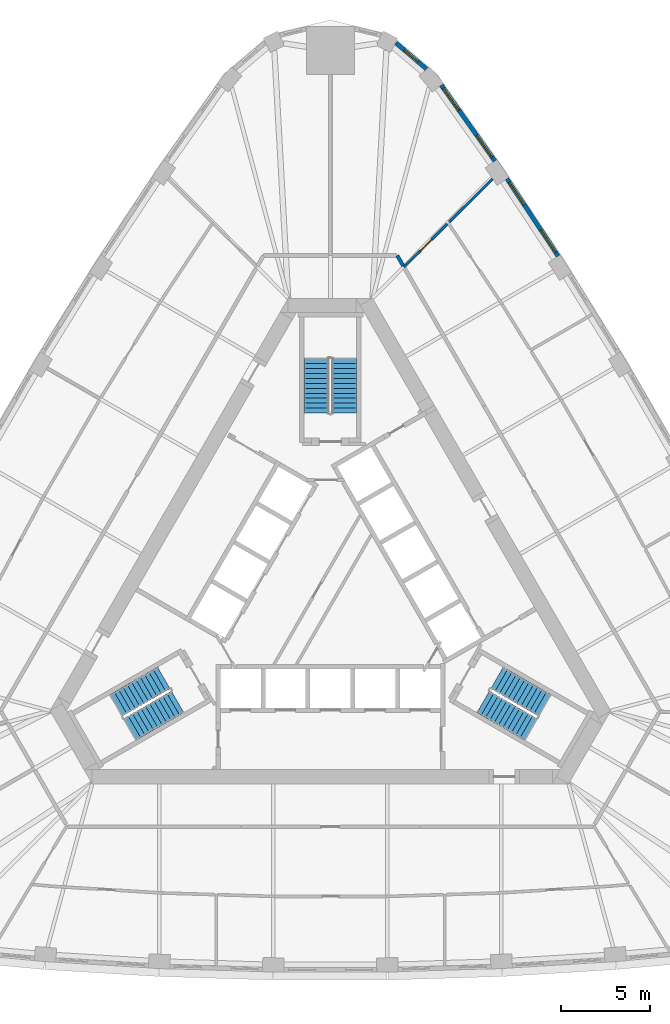
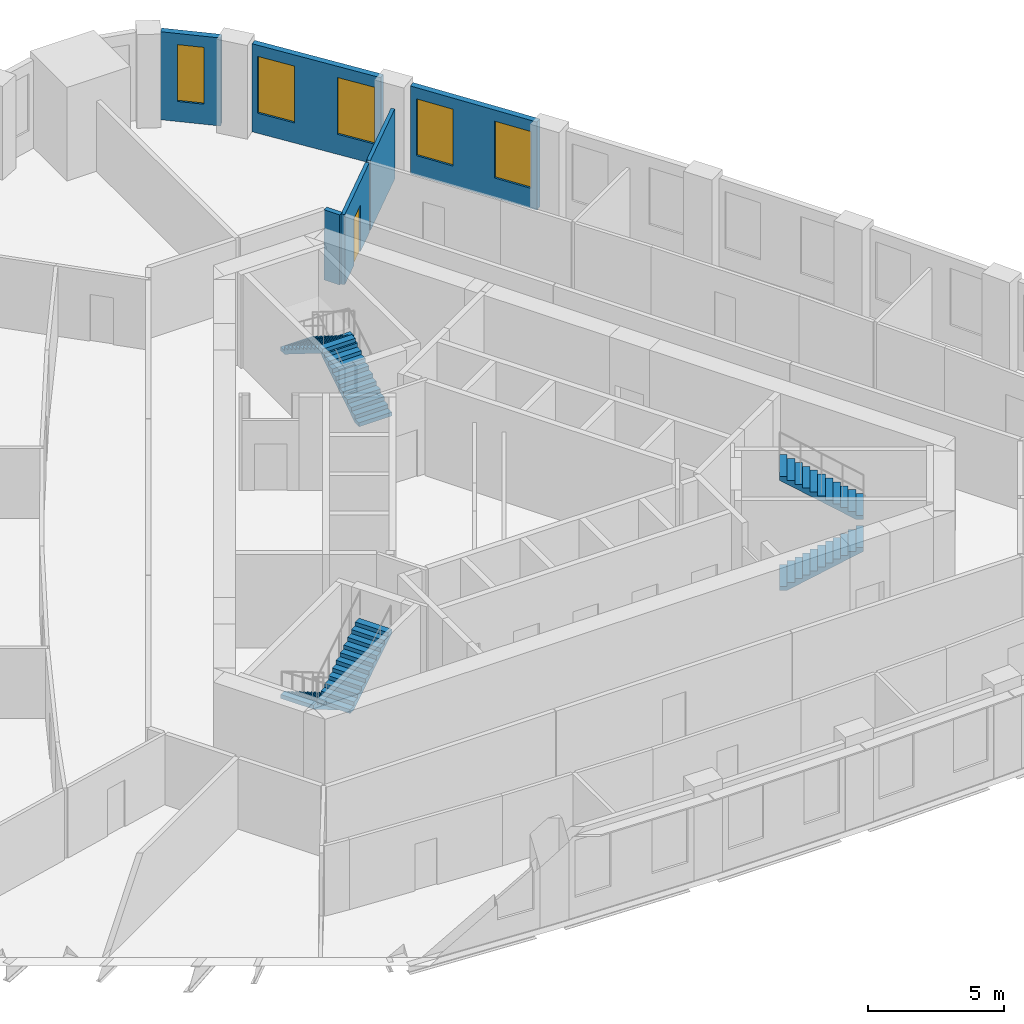
# One storey, part 9 of 10: 6 stair flights, 6 walls, 5 windows, 1 door, 6 openings, 3 elements without a shape of their own.
"""IFC4 building model written with IfcOpenShell, lengths in metres."""

from ifc_helpers import new_model, si_unit, direction, frame, frame_2d, origin, place, context, subcontext, project, spatial, polyline, rectangle, outline, extrude, material, layer, layer_set, type_object, element, fill, aggregate, save


model = new_model("IFC4")

# Units and contexts
model_context = context("Model", 3, precision=1e-05, world=origin(), true_north=direction((0.0, 1.0)))
body_context = subcontext(model_context, "Body", "Model", "MODEL_VIEW")
ifc_project = project(units=[si_unit("LENGTHUNIT", "METRE"), si_unit("AREAUNIT", "SQUARE_METRE"), si_unit("VOLUMEUNIT", "CUBIC_METRE"), si_unit("PLANEANGLEUNIT", "RADIAN"), si_unit("MASSUNIT", "GRAM", prefix="KILO")], contexts=[model_context])

# Site, building, storey
site_placement = place(None, origin())
site = spatial("IfcSite", under=ifc_project, at=site_placement, CompositionType="ELEMENT")
building_placement = place(site_placement, origin())
building = spatial("IfcBuilding", under=site, at=building_placement, Name="Mestral Congress Tower", CompositionType="ELEMENT")
storey_placement = place(building_placement, frame((0.0, 0.0, 145.800048828125)))
storey = spatial("IfcBuildingStorey", under=building, at=storey_placement, Name="L34", CompositionType="ELEMENT", Elevation=145.800048828125)

# Wall, openings, windows
ifc_material_1 = material(Name="Precast concrete C40/50 with limestone facing", Category="masonry")
ifc_layer_1 = layer(ifc_material_1, 0.239990234375)
ifc_layer_set_1 = layer_set([ifc_layer_1], Name="Precast concrete C40/50 with limestone facing")
wall_type_1 = type_object("IfcWallType", Name="Facade stone wall 240", PredefinedType="SOLIDWALL", material=ifc_layer_set_1)
wall_1_placement = place(storey_placement, frame((12.783203125, 19.170654296875, 0.0), z_axis=(0.0, 0.0, 1.0), x_axis=(-0.551892811511, 0.833915058386, 0.0)))
wall_1 = element("IfcWall", 1, at=wall_1_placement, inside=storey, type_object=wall_type_1, Name="Facade wall F1-05", PredefinedType="SOLIDWALL", context=body_context, shape_type="SweptSolid", body=[
    extrude(rectangle(XDim=5.20361328125, YDim=0.239990234375, at=frame_2d((2.601806640625, 0.0))), origin(), (0.0, 0.0, 1.0), 3.949951171875),
])
opening_1_placement = place(wall_1_placement, frame((0.248291015625, 0.0, 0.89990234375)))
opening_1 = element("IfcOpeningElement", 2, at=opening_1_placement, cuts=wall_1, Name="Opening W4", PredefinedType="OPENING", context=body_context, shape_type="SweptSolid", body=[
    extrude(rectangle(XDim=1.5, YDim=2.550048828125, at=frame_2d((0.75, 1.27490234375))), frame((0.0, 0.1298828125, 0.0), z_axis=(0.0, -1.0, 0.0), x_axis=(1.0, 0.0, 0.0)), (0.0, 0.0, 1.0), 0.260009765625),
])
opening_2_placement = place(wall_1_placement, frame((3.455078125, 0.0, 0.89990234375)))
opening_2 = element("IfcOpeningElement", 3, at=opening_2_placement, cuts=wall_1, Name="Opening W4", PredefinedType="OPENING", context=body_context, shape_type="SweptSolid", body=[
    extrude(rectangle(XDim=1.5, YDim=2.550048828125, at=frame_2d((0.75, 1.27490234375))), frame((0.0, 0.1298828125, 0.0), z_axis=(0.0, -1.0, 0.0), x_axis=(1.0, 0.0, 0.0)), (0.0, 0.0, 1.0), 0.260009765625),
])
ifc_material_2 = material(Name="Clear low-emissivity double glazing", Category="glass")
window_type_1 = type_object("IfcWindowType", Name="Facade punched window 1500 x 2550 sill 900", PartitioningType="SINGLE_PANEL", PredefinedType="WINDOW", material=ifc_material_2)
window_1_placement = place(opening_1_placement, origin())
window_1 = element("IfcWindow", 4, at=window_1_placement, inside=storey, type_object=window_type_1, Name="Window F1-05a", OverallHeight=2.550048828125, OverallWidth=1.5, PartitioningType="SINGLE_PANEL", PredefinedType="WINDOW", context=body_context, shape_type="SweptSolid", body=[
    extrude(rectangle(XDim=1.5, YDim=2.550048828125, at=frame_2d((0.75, 1.27490234375))), frame((0.0, 0.0400390625, 0.0), z_axis=(0.0, -1.0, 0.0), x_axis=(1.0, 0.0, 0.0)), (0.0, 0.0, 1.0), 0.06005859375),
])
fill(opening_1, window_1)
window_2_placement = place(opening_2_placement, origin())
window_2 = element("IfcWindow", 5, at=window_2_placement, inside=storey, type_object=window_type_1, Name="Window F1-05b", OverallHeight=2.550048828125, OverallWidth=1.5, PartitioningType="SINGLE_PANEL", PredefinedType="WINDOW", context=body_context, shape_type="SweptSolid", body=[
    extrude(rectangle(XDim=1.5, YDim=2.550048828125, at=frame_2d((0.75, 1.27490234375))), frame((0.0, 0.0400390625, 0.0), z_axis=(0.0, -1.0, 0.0), x_axis=(1.0, 0.0, 0.0)), (0.0, 0.0, 1.0), 0.06005859375),
])
fill(opening_2, window_2)

wall_2_placement = place(storey_placement, frame((9.231201171875, 24.50439453125, 0.0), z_axis=(0.0, 0.0, 1.0), x_axis=(-0.577115207679, 0.816662743772, 0.0)))
wall_2 = element("IfcWall", 6, at=wall_2_placement, inside=storey, type_object=wall_type_1, Name="Facade wall F1-06", PredefinedType="SOLIDWALL", context=body_context, shape_type="SweptSolid", body=[
    extrude(rectangle(XDim=5.213134765625, YDim=0.239990234375, at=frame_2d((2.6064453125, 0.0))), origin(), (0.0, 0.0, 1.0), 3.949951171875),
])
opening_3_placement = place(wall_2_placement, frame((0.2607421875, 0.0, 0.89990234375)))
opening_3 = element("IfcOpeningElement", 7, at=opening_3_placement, cuts=wall_2, Name="Opening W4", PredefinedType="OPENING", context=body_context, shape_type="SweptSolid", body=[
    extrude(rectangle(XDim=1.5, YDim=2.550048828125, at=frame_2d((0.75, 1.27490234375))), frame((0.0, 0.1298828125, 0.0), z_axis=(0.0, -1.0, 0.0), x_axis=(1.0, 0.0, 0.0)), (0.0, 0.0, 1.0), 0.260009765625),
])
opening_4_placement = place(wall_2_placement, frame((3.492431640625, 0.0, 0.89990234375)))
opening_4 = element("IfcOpeningElement", 8, at=opening_4_placement, cuts=wall_2, Name="Opening W4", PredefinedType="OPENING", context=body_context, shape_type="SweptSolid", body=[
    extrude(rectangle(XDim=1.5, YDim=2.550048828125, at=frame_2d((0.75, 1.27490234375))), frame((0.0, 0.1298828125, 0.0), z_axis=(0.0, -1.0, 0.0), x_axis=(1.0, 0.0, 0.0)), (0.0, 0.0, 1.0), 0.260009765625),
])
window_3_placement = place(opening_3_placement, origin())
window_3 = element("IfcWindow", 9, at=window_3_placement, inside=storey, type_object=window_type_1, Name="Window F1-06a", OverallHeight=2.550048828125, OverallWidth=1.5, PartitioningType="SINGLE_PANEL", PredefinedType="WINDOW", context=body_context, shape_type="SweptSolid", body=[
    extrude(rectangle(XDim=1.5, YDim=2.550048828125, at=frame_2d((0.75, 1.27490234375))), frame((0.0, 0.0400390625, 0.0), z_axis=(0.0, -1.0, 0.0), x_axis=(1.0, 0.0, 0.0)), (0.0, 0.0, 1.0), 0.06005859375),
])
fill(opening_3, window_3)
window_4_placement = place(opening_4_placement, origin())
window_4 = element("IfcWindow", 10, at=window_4_placement, inside=storey, type_object=window_type_1, Name="Window F1-06b", OverallHeight=2.550048828125, OverallWidth=1.5, PartitioningType="SINGLE_PANEL", PredefinedType="WINDOW", context=body_context, shape_type="SweptSolid", body=[
    extrude(rectangle(XDim=1.5, YDim=2.550048828125, at=frame_2d((0.75, 1.27490234375))), frame((0.0, 0.0400390625, 0.0), z_axis=(0.0, -1.0, 0.0), x_axis=(1.0, 0.0, 0.0)), (0.0, 0.0, 1.0), 0.06005859375),
])
fill(opening_4, window_4)

# Wall, opening, window
wall_3_placement = place(storey_placement, frame((5.3916015625, 29.672119140625, 0.0), z_axis=(0.0, 0.0, 1.0), x_axis=(-0.761419744247, 0.648259186645, 0.0)))
wall_3 = element("IfcWall", 11, at=wall_3_placement, inside=storey, type_object=wall_type_1, Name="Facade wall K1-0", PredefinedType="SOLIDWALL", context=body_context, shape_type="SweptSolid", body=[
    extrude(rectangle(XDim=2.250244140625, YDim=0.239990234375, at=frame_2d((1.125, 0.0))), origin(), (0.0, 0.0, 1.0), 3.949951171875),
])
opening_5_placement = place(wall_3_placement, frame((0.625244140625, 0.0, 0.89990234375)))
opening_5 = element("IfcOpeningElement", 12, at=opening_5_placement, cuts=wall_3, Name="Opening W5", PredefinedType="OPENING", context=body_context, shape_type="SweptSolid", body=[
    extrude(rectangle(XDim=1.0, YDim=2.550048828125, at=frame_2d((0.5, 1.27490234375))), frame((0.0, 0.1298828125, 0.0), z_axis=(0.0, -1.0, 0.0), x_axis=(1.0, 0.0, 0.0)), (0.0, 0.0, 1.0), 0.260009765625),
])
window_type_2 = type_object("IfcWindowType", Name="Facade punched window 1000 x 2550 sill 900", PartitioningType="SINGLE_PANEL", PredefinedType="WINDOW", material=ifc_material_2)
window_5_placement = place(opening_5_placement, origin())
window_5 = element("IfcWindow", 13, at=window_5_placement, inside=storey, type_object=window_type_2, Name="Window K1-0", OverallHeight=2.550048828125, OverallWidth=1.0, PartitioningType="SINGLE_PANEL", PredefinedType="WINDOW", context=body_context, shape_type="SweptSolid", body=[
    extrude(rectangle(XDim=1.0, YDim=2.550048828125, at=frame_2d((0.5, 1.27490234375))), frame((0.0, 0.0400390625, 0.0), z_axis=(0.0, -1.0, 0.0), x_axis=(1.0, 0.0, 0.0)), (0.0, 0.0, 1.0), 0.06005859375),
])
fill(opening_5, window_5)

# Wall
ifc_material_3 = material(Name="Plasterboard partition on steel studs", Category="steel")
ifc_layer_2 = layer(ifc_material_3, 0.14990234375)
ifc_layer_set_2 = layer_set([ifc_layer_2], Name="Plasterboard partition on steel studs")
wall_type_2 = type_object("IfcWallType", Name="Office partition 150", PredefinedType="PARTITIONING", material=ifc_layer_set_2)
wall_4_placement = place(storey_placement, frame((6.67041015625, 21.07763671875, 0.0), z_axis=(0.0, 0.0, 1.0), x_axis=(0.709236178776, 0.704970951681, 0.0)))
element("IfcWall", 14, at=wall_4_placement, inside=storey, type_object=wall_type_2, Name="Partition", PredefinedType="PARTITIONING", context=body_context, shape_type="SweptSolid", body=[
    extrude(rectangle(XDim=3.434326171875, YDim=0.14990234375, at=frame_2d((1.71728515625, 0.0))), origin(), (0.0, 0.0, 1.0), 3.14990234375),
])

# Wall, opening, door
wall_5_placement = place(storey_placement, frame((4.1279296875, 18.55029296875, 0.0), z_axis=(0.0, 0.0, 1.0), x_axis=(0.709237676072, 0.704969445324, 0.0)))
wall_5 = element("IfcWall", 15, at=wall_5_placement, inside=storey, type_object=wall_type_2, Name="Partition", PredefinedType="PARTITIONING", context=body_context, shape_type="SweptSolid", body=[
    extrude(rectangle(XDim=3.431884765625, YDim=0.14990234375, at=frame_2d((1.7158203125, 0.0))), origin(), (0.0, 0.0, 1.0), 3.14990234375),
])
opening_6_placement = place(wall_5_placement, frame((1.300048828125, 0.0, 0.0)))
opening_6 = element("IfcOpeningElement", 16, at=opening_6_placement, cuts=wall_5, Name="Opening O01-012", PredefinedType="OPENING", context=body_context, shape_type="SweptSolid", body=[
    extrude(rectangle(XDim=0.89990234375, YDim=2.10009765625, at=frame_2d((0.449951171875, 1.050048828125))), frame((0.0, 0.0849609375, 0.0), z_axis=(0.0, -1.0, 0.0), x_axis=(1.0, 0.0, 0.0)), (0.0, 0.0, 1.0), 0.169921875),
])
ifc_material_4 = material(Name="Timber door set", Category="wood")
door_type = type_object("IfcDoorType", Name="Office door 900x2100", OperationType="SINGLE_SWING_LEFT", PredefinedType="DOOR", material=ifc_material_4)
door_placement = place(opening_6_placement, origin())
door = element("IfcDoor", 17, at=door_placement, inside=storey, type_object=door_type, Name="Door O01-012", OperationType="SINGLE_SWING_RIGHT", OverallHeight=2.10009765625, OverallWidth=0.89990234375, PredefinedType="DOOR", context=body_context, shape_type="SweptSolid", body=[
    extrude(rectangle(XDim=0.89990234375, YDim=2.10009765625, at=frame_2d((0.449951171875, 1.050048828125))), frame((0.0, 0.02490234375, 0.0), z_axis=(0.0, -1.0, 0.0), x_axis=(1.0, 0.0, 0.0)), (0.0, 0.0, 1.0), 0.050048828125),
])
fill(opening_6, door)

# Wall
ifc_material_5 = material(Name="Dense masonry wall, plastered", Category="masonry")
ifc_layer_3 = layer(ifc_material_5, 0.199951171875)
ifc_layer_set_3 = layer_set([ifc_layer_3], Name="Dense masonry wall, plastered")
wall_type_3 = type_object("IfcWallType", Name="Office tenancy wall 200", PredefinedType="PARTITIONING", material=ifc_layer_set_3)
wall_6_placement = place(storey_placement, frame((4.089111328125, 18.617431640625, 0.0), z_axis=(0.0, 0.0, 1.0), x_axis=(-0.500120377296, 0.865955892764, 0.0)))
element("IfcWall", 18, at=wall_6_placement, inside=storey, type_object=wall_type_3, Name="Tenancy wall", PredefinedType="PARTITIONING", context=body_context, shape_type="SweptSolid", body=[
    extrude(rectangle(XDim=0.672607421875, YDim=0.199951171875, at=frame_2d((0.33642578125, 0.0))), origin(), (0.0, 0.0, 1.0), 3.14990234375),
])

# Stair, stair flights
ifc_material_6 = material(Name="Concrete C60/75", Category="concrete")
stair_type = type_object("IfcStairType", Name="Exit stair 1400", PredefinedType="HALF_TURN_STAIR", material=ifc_material_6)
placement = place(storey_placement, origin())
stair_1 = element("IfcStair", 19, at=placement, inside=storey, type_object=stair_type, Name="L34 ST1", PredefinedType="HALF_TURN_STAIR")
stair_flight_type = type_object("IfcStairFlightType", Name="Exit stair flight 1400", PredefinedType="STRAIGHT", material=ifc_material_6)
stair_flight_1_placement = place(storey_placement, frame((8.575927734375, -5.84619140625, 0.0), z_axis=(0.0, 0.0, 1.0), x_axis=(0.866025403784, -0.5, 0.0)))
stair_flight_1 = element("IfcStairFlight", 20, at=stair_flight_1_placement, type_object=stair_flight_type, Name="ST1 flight 1", NumberOfRisers=12, NumberOfTreads=11, PredefinedType="STRAIGHT", RiserHeight=0.175, TreadLength=0.28, context=body_context, shape_type="SweptSolid", body=[
    extrude(outline(polyline([(0.0, 0.0), (0.0, 0.175048828125), (0.280029296875, 0.175048828125), (0.280029296875, 0.35009765625), (0.56005859375, 0.35009765625), (0.56005859375, 0.52490234375), (0.840087890625, 0.52490234375), (0.840087890625, 0.699951171875), (1.1201171875, 0.699951171875), (1.1201171875, 0.875), (1.39990234375, 0.875), (1.39990234375, 1.050048828125), (1.679931640625, 1.050048828125), (1.679931640625, 1.22509765625), (1.9599609375, 1.22509765625), (1.9599609375, 1.39990234375), (2.239990234375, 1.39990234375), (2.239990234375, 1.574951171875), (2.52001953125, 1.574951171875), (2.52001953125, 1.75), (2.800048828125, 1.75), (2.800048828125, 1.925048828125), (3.080078125, 1.925048828125), (3.080078125, 2.10009765625), (3.080078125, 1.748291015625), (0.28271484375, 0.0), (0.0, 0.0)])), frame((0.0, 0.699951171875, 0.0), z_axis=(0.0, -1.0, 0.0), x_axis=(1.0, 0.0, 0.0)), (0.0, 0.0, 1.0), 1.39990234375),
])
stair_flight_2_placement = place(storey_placement, frame((12.018310546875, -6.0439453125, 2.099853515625), z_axis=(0.0, 0.0, 1.0), x_axis=(-0.866025403784, 0.5, 0.0)))
stair_flight_2 = element("IfcStairFlight", 21, at=stair_flight_2_placement, type_object=stair_flight_type, Name="ST1 flight 2", NumberOfRisers=12, NumberOfTreads=11, PredefinedType="STRAIGHT", RiserHeight=0.175, TreadLength=0.28, context=body_context, shape_type="SweptSolid", body=[
    extrude(outline(polyline([(0.0, 0.0), (0.0, 0.175048828125), (0.280029296875, 0.175048828125), (0.280029296875, 0.35009765625), (0.56005859375, 0.35009765625), (0.56005859375, 0.52490234375), (0.840087890625, 0.52490234375), (0.840087890625, 0.699951171875), (1.1201171875, 0.699951171875), (1.1201171875, 0.875), (1.39990234375, 0.875), (1.39990234375, 1.050048828125), (1.679931640625, 1.050048828125), (1.679931640625, 1.22509765625), (1.9599609375, 1.22509765625), (1.9599609375, 1.39990234375), (2.239990234375, 1.39990234375), (2.239990234375, 1.574951171875), (2.52001953125, 1.574951171875), (2.52001953125, 1.75), (2.800048828125, 1.75), (2.800048828125, 1.925048828125), (3.080078125, 1.925048828125), (3.080078125, 2.10009765625), (3.080078125, 1.748291015625), (0.28271484375, 0.0), (0.0, 0.0)])), frame((0.0, 0.699951171875, 0.0), z_axis=(0.0, -1.0, 0.0), x_axis=(1.0, 0.0, 0.0)), (0.0, 0.0, 1.0), 1.39990234375),
])
aggregate(stair_1, [stair_flight_1, stair_flight_2])

stair_2 = element("IfcStair", 22, at=placement, inside=storey, type_object=stair_type, Name="L34 ST2", PredefinedType="HALF_TURN_STAIR")
stair_flight_3_placement = place(storey_placement, frame((0.77490234375, 10.35009765625, 0.0), z_axis=(0.0, 0.0, 1.0), x_axis=(0.0, 1.0, 0.0)))
stair_flight_3 = element("IfcStairFlight", 23, at=stair_flight_3_placement, type_object=stair_flight_type, Name="ST2 flight 1", NumberOfRisers=12, NumberOfTreads=11, PredefinedType="STRAIGHT", RiserHeight=0.175, TreadLength=0.28, context=body_context, shape_type="SweptSolid", body=[
    extrude(outline(polyline([(0.0, 0.0), (0.0, 0.175048828125), (0.280029296875, 0.175048828125), (0.280029296875, 0.35009765625), (0.56005859375, 0.35009765625), (0.56005859375, 0.52490234375), (0.840087890625, 0.52490234375), (0.840087890625, 0.699951171875), (1.1201171875, 0.699951171875), (1.1201171875, 0.875), (1.39990234375, 0.875), (1.39990234375, 1.050048828125), (1.679931640625, 1.050048828125), (1.679931640625, 1.22509765625), (1.9599609375, 1.22509765625), (1.9599609375, 1.39990234375), (2.239990234375, 1.39990234375), (2.239990234375, 1.574951171875), (2.52001953125, 1.574951171875), (2.52001953125, 1.75), (2.800048828125, 1.75), (2.800048828125, 1.925048828125), (3.080078125, 1.925048828125), (3.080078125, 2.10009765625), (3.080078125, 1.748291015625), (0.28271484375, 0.0), (0.0, 0.0)])), frame((0.0, 0.699951171875, 0.0), z_axis=(0.0, -1.0, 0.0), x_axis=(1.0, 0.0, 0.0)), (0.0, 0.0, 1.0), 1.39990234375),
])
stair_flight_4_placement = place(storey_placement, frame((-0.77490234375, 13.429931640625, 2.099853515625), z_axis=(0.0, 0.0, 1.0), x_axis=(0.0, -1.0, 0.0)))
stair_flight_4 = element("IfcStairFlight", 24, at=stair_flight_4_placement, type_object=stair_flight_type, Name="ST2 flight 2", NumberOfRisers=12, NumberOfTreads=11, PredefinedType="STRAIGHT", RiserHeight=0.175, TreadLength=0.28, context=body_context, shape_type="SweptSolid", body=[
    extrude(outline(polyline([(0.0, 0.0), (0.0, 0.175048828125), (0.280029296875, 0.175048828125), (0.280029296875, 0.35009765625), (0.56005859375, 0.35009765625), (0.56005859375, 0.52490234375), (0.840087890625, 0.52490234375), (0.840087890625, 0.699951171875), (1.1201171875, 0.699951171875), (1.1201171875, 0.875), (1.39990234375, 0.875), (1.39990234375, 1.050048828125), (1.679931640625, 1.050048828125), (1.679931640625, 1.22509765625), (1.9599609375, 1.22509765625), (1.9599609375, 1.39990234375), (2.239990234375, 1.39990234375), (2.239990234375, 1.574951171875), (2.52001953125, 1.574951171875), (2.52001953125, 1.75), (2.800048828125, 1.75), (2.800048828125, 1.925048828125), (3.080078125, 1.925048828125), (3.080078125, 2.10009765625), (3.080078125, 1.748291015625), (0.28271484375, 0.0), (0.0, 0.0)])), frame((0.0, 0.699951171875, 0.0), z_axis=(0.0, -1.0, 0.0), x_axis=(1.0, 0.0, 0.0)), (0.0, 0.0, 1.0), 1.39990234375),
])
aggregate(stair_2, [stair_flight_3, stair_flight_4])

stair_3 = element("IfcStair", 25, at=placement, inside=storey, type_object=stair_type, Name="L34 ST3", PredefinedType="HALF_TURN_STAIR")
stair_flight_5_placement = place(storey_placement, frame((-9.350830078125, -4.50390625, 0.0), z_axis=(0.0, 0.0, 1.0), x_axis=(-0.866025403784, -0.5, 0.0)))
stair_flight_5 = element("IfcStairFlight", 26, at=stair_flight_5_placement, type_object=stair_flight_type, Name="ST3 flight 1", NumberOfRisers=12, NumberOfTreads=11, PredefinedType="STRAIGHT", RiserHeight=0.175, TreadLength=0.28, context=body_context, shape_type="SweptSolid", body=[
    extrude(outline(polyline([(0.0, 0.0), (0.0, 0.175048828125), (0.280029296875, 0.175048828125), (0.280029296875, 0.35009765625), (0.56005859375, 0.35009765625), (0.56005859375, 0.52490234375), (0.840087890625, 0.52490234375), (0.840087890625, 0.699951171875), (1.1201171875, 0.699951171875), (1.1201171875, 0.875), (1.39990234375, 0.875), (1.39990234375, 1.050048828125), (1.679931640625, 1.050048828125), (1.679931640625, 1.22509765625), (1.9599609375, 1.22509765625), (1.9599609375, 1.39990234375), (2.239990234375, 1.39990234375), (2.239990234375, 1.574951171875), (2.52001953125, 1.574951171875), (2.52001953125, 1.75), (2.800048828125, 1.75), (2.800048828125, 1.925048828125), (3.080078125, 1.925048828125), (3.080078125, 2.10009765625), (3.080078125, 1.748291015625), (0.28271484375, 0.0), (0.0, 0.0)])), frame((0.0, 0.699951171875, 0.0), z_axis=(0.0, -1.0, 0.0), x_axis=(1.0, 0.0, 0.0)), (0.0, 0.0, 1.0), 1.39990234375),
])
stair_flight_6_placement = place(storey_placement, frame((-11.2431640625, -7.38623046875, 2.099853515625), z_axis=(0.0, 0.0, 1.0), x_axis=(0.866025403784, 0.5, 0.0)))
stair_flight_6 = element("IfcStairFlight", 27, at=stair_flight_6_placement, type_object=stair_flight_type, Name="ST3 flight 2", NumberOfRisers=12, NumberOfTreads=11, PredefinedType="STRAIGHT", RiserHeight=0.175, TreadLength=0.28, context=body_context, shape_type="SweptSolid", body=[
    extrude(outline(polyline([(0.0, 0.0), (0.0, 0.175048828125), (0.280029296875, 0.175048828125), (0.280029296875, 0.35009765625), (0.56005859375, 0.35009765625), (0.56005859375, 0.52490234375), (0.840087890625, 0.52490234375), (0.840087890625, 0.699951171875), (1.1201171875, 0.699951171875), (1.1201171875, 0.875), (1.39990234375, 0.875), (1.39990234375, 1.050048828125), (1.679931640625, 1.050048828125), (1.679931640625, 1.22509765625), (1.9599609375, 1.22509765625), (1.9599609375, 1.39990234375), (2.239990234375, 1.39990234375), (2.239990234375, 1.574951171875), (2.52001953125, 1.574951171875), (2.52001953125, 1.75), (2.800048828125, 1.75), (2.800048828125, 1.925048828125), (3.080078125, 1.925048828125), (3.080078125, 2.10009765625), (3.080078125, 1.748291015625), (0.28271484375, 0.0), (0.0, 0.0)])), frame((0.0, 0.699951171875, 0.0), z_axis=(0.0, -1.0, 0.0), x_axis=(1.0, 0.0, 0.0)), (0.0, 0.0, 1.0), 1.39990234375),
])
aggregate(stair_3, [stair_flight_5, stair_flight_6])

save(model, "model.ifc")
